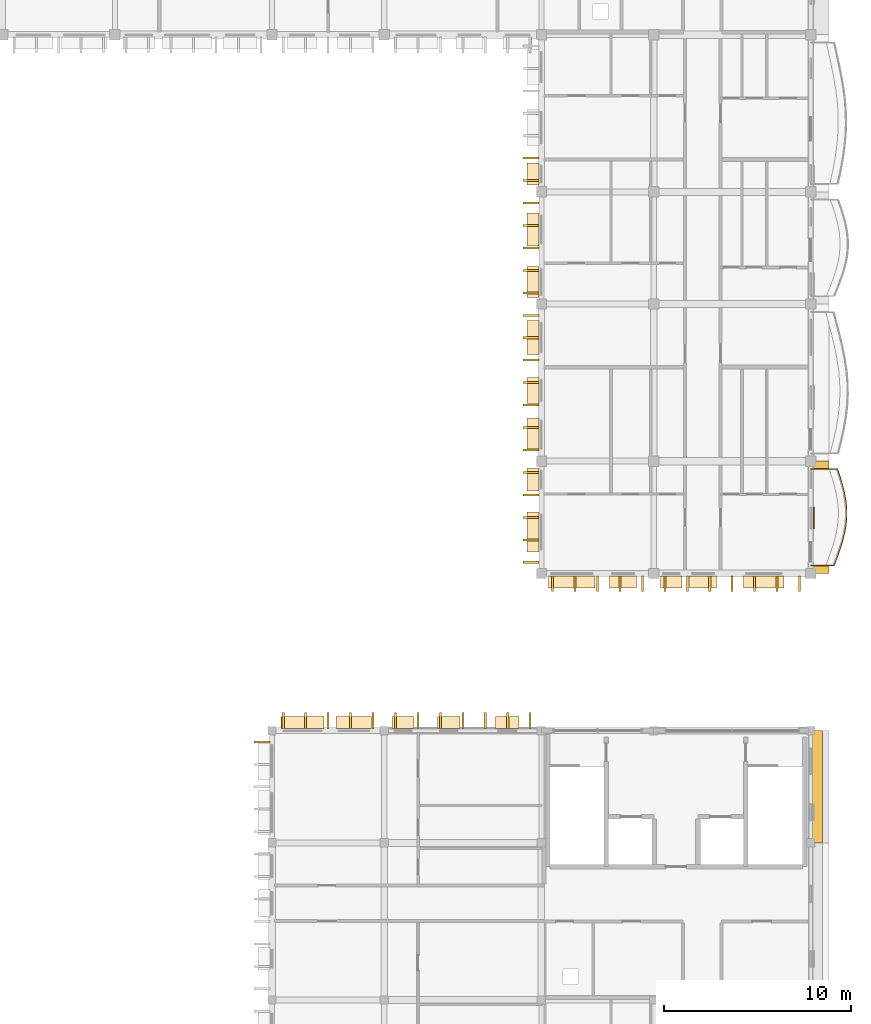
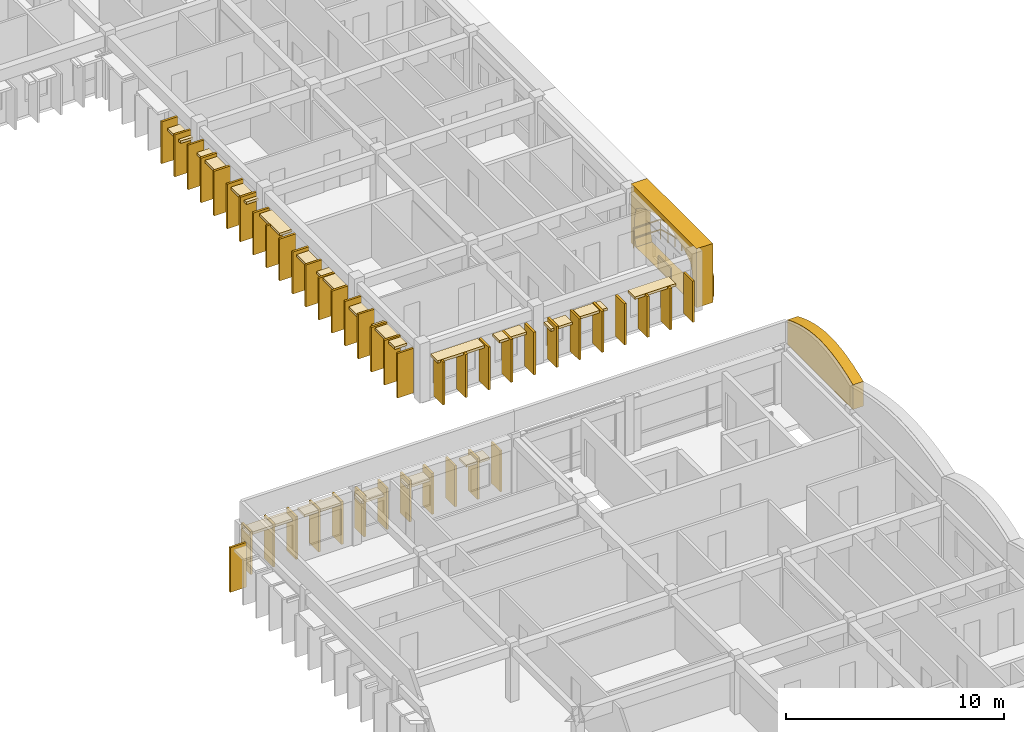
# One storey, part 55 of 59: 65 coverings, 1 railing.
"""IFC4 building model written with IfcOpenShell, lengths in metres."""

from ifc_helpers import new_model, si_unit, direction, frame, origin, origin_2d, place, context, subcontext, project, spatial, polyline, rectangle, outline, extrude, material, layer, layer_set, type_object, element, save


model = new_model("IFC4")

# Units and contexts
model_context = context("Model", 3, precision=1e-05, world=origin(), true_north=direction((0.0, 1.0)))
body_context = subcontext(model_context, "Body", "Model", "MODEL_VIEW")
ifc_project = project(units=[si_unit("LENGTHUNIT", "METRE"), si_unit("AREAUNIT", "SQUARE_METRE"), si_unit("VOLUMEUNIT", "CUBIC_METRE"), si_unit("PLANEANGLEUNIT", "RADIAN"), si_unit("MASSUNIT", "GRAM", prefix="KILO"), si_unit("THERMODYNAMICTEMPERATUREUNIT", "KELVIN")], contexts=[model_context])

# Site, building, storey
site_placement = place(None, origin())
site = spatial("IfcSite", under=ifc_project, at=site_placement, CompositionType="ELEMENT")
building_placement = place(site_placement, origin())
building = spatial("IfcBuilding", under=site, at=building_placement, Name="Thalorik Housing Commons", CompositionType="ELEMENT")
storey_placement = place(building_placement, frame((0.0, 0.0, 27.89990234375)))
storey = spatial("IfcBuildingStorey", under=building, at=storey_placement, Name="L08", CompositionType="ELEMENT", Elevation=27.89990234375)

# Coverings
ifc_material_1 = material(Name="Cobalt blue glazed ceramic facade tile panel", Category="masonry")
ifc_layer_1 = layer(ifc_material_1, 0.06005859375, Name="Cobalt blue glazed ceramic facade tile panel", Category="masonry")
ifc_layer_set_1 = layer_set([ifc_layer_1], Name="Cobalt blue glazed ceramic facade tile panel")
covering_type_1 = type_object("IfcCoveringType", Name="ARC-CLD-BLU-60", PredefinedType="CLADDING", material=ifc_layer_set_1)
covering_1_placement = place(storey_placement, frame((166.95751953125, 83.372802734375, 0.05029296875), z_axis=(0.0, 0.0, 1.0), x_axis=(0.0, 1.0, 0.0)))
element("IfcCovering", 1, at=covering_1_placement, inside=storey, type_object=covering_type_1, Name="L08 De Stijl Recessed Window Spandrel 2881", PredefinedType="CLADDING", context=body_context, shape_type="SweptSolid", body=[
    extrude(rectangle(XDim=1.14990234375, YDim=0.06005859375, at=origin_2d()), origin(), (0.0, 0.0, 1.0), 0.699951171875),
])
ifc_material_2 = material(Name="Precast concrete C40/50", Category="concrete")
ifc_layer_2 = layer(ifc_material_2, 0.85009765625, Name="Precast concrete C40/50", Category="concrete")
ifc_layer_set_2 = layer_set([ifc_layer_2], Name="Precast concrete C40/50")
covering_type_2 = type_object("IfcCoveringType", Name="ARC-CLD-CUSH-850", PredefinedType="CLADDING", material=ifc_layer_set_2)
covering_2_placement = place(storey_placement, frame((167.347412109375, 83.39990234375, 0.0), z_axis=(0.0, 0.0, 1.0), x_axis=(0.0, 1.0, 0.0)))
element("IfcCovering", 2, at=covering_2_placement, inside=storey, type_object=covering_type_2, Name="L08 White Precast Curved Cushion Bay Frame 2880", PredefinedType="CLADDING", context=body_context, shape_type="SweptSolid", body=[
    extrude(outline(polyline([(-3.0, 0.0), (3.0, 0.0), (3.0, 3.300048828125), (-3.0, 3.300048828125), (-3.0, 0.0)]), holes=[polyline([(2.542724609375, 0.02490234375), (2.639404296875, 0.387451171875), (2.697265625, 0.75), (2.716552734375, 1.112548828125), (2.697265625, 1.47509765625), (2.639404296875, 1.83740234375), (2.542724609375, 2.199951171875), (2.12841796875, 2.455810546875), (1.714111328125, 2.656494140625), (1.299560546875, 2.819091796875), (0.88525390625, 2.940185546875), (0.470703125, 3.014892578125), (0.056396484375, 3.0400390625), (-0.35791015625, 3.014892578125), (-0.7724609375, 2.940185546875), (-1.186767578125, 2.819091796875), (-1.601318359375, 2.656494140625), (-2.015625, 2.455810546875), (-2.429931640625, 2.199951171875), (-2.55029296875, 1.83740234375), (-2.62255859375, 1.47509765625), (-2.646484375, 1.112548828125), (-2.62255859375, 0.75), (-2.55029296875, 0.387451171875), (-2.429931640625, 0.02490234375), (2.542724609375, 0.02490234375)])]), frame((0.0, 0.425048828125, 0.0), z_axis=(0.0, -1.0, 0.0), x_axis=(1.0, 0.0, 0.0)), (0.0, 0.0, 1.0), 0.85009765625),
])
ifc_layer_3 = layer(ifc_material_2, 0.85009765625, Name="Precast concrete C40/50", Category="concrete")
ifc_layer_set_3 = layer_set([ifc_layer_3], Name="Precast concrete C40/50")
covering_type_3 = type_object("IfcCoveringType", Name="ARC-CLD-FIN-850", PredefinedType="CLADDING", material=ifc_layer_set_3)
for number, where, z_axis, x_axis, name in (
    (3, (151.8525390625, 102.60009765625, 0.0400390625), (0.0, 0.0, 1.0), (0.0, -1.0, 0.0), "L08 Courtyard Precast Vertical Brise-Soleil Fin 2834"),
    (4, (151.8525390625, 101.39990234375, 0.0400390625), (0.0, 0.0, 1.0), (0.0, -1.0, 0.0), "L08 Courtyard Precast Vertical Brise-Soleil Fin 2835"),
):
    element("IfcCovering", number, at=place(storey_placement, frame(where, z_axis=z_axis, x_axis=x_axis)), inside=storey, type_object=covering_type_3, Name=name, PredefinedType="CLADDING", context=body_context, shape_type="SweptSolid", body=[
        extrude(rectangle(XDim=0.110107421875, YDim=0.85009765625, at=origin_2d()), origin(), (0.0, 0.0, 1.0), 2.344970703125),
    ])
for number, where, z_axis, x_axis, name in (
    (5, (151.8525390625, 100.199951171875, 0.0400390625), (0.0, 0.0, 1.0), (0.0, -1.0, 0.0), "L08 Courtyard Precast Vertical Brise-Soleil Fin 2839"),
    (6, (151.8525390625, 99.0, 0.0400390625), (0.0, 0.0, 1.0), (0.0, -1.0, 0.0), "L08 Courtyard Precast Vertical Brise-Soleil Fin 2840"),
    (7, (151.8525390625, 97.800048828125, 0.0400390625), (0.0, 0.0, 1.0), (0.0, -1.0, 0.0), "L08 Courtyard Precast Vertical Brise-Soleil Fin 2841"),
    (8, (151.8525390625, 96.60009765625, 0.0400390625), (0.0, 0.0, 1.0), (0.0, -1.0, 0.0), "L08 Courtyard Precast Vertical Brise-Soleil Fin 2842"),
    (9, (151.8525390625, 95.39990234375, 0.0400390625), (0.0, 0.0, 1.0), (0.0, -1.0, 0.0), "L08 Courtyard Precast Vertical Brise-Soleil Fin 2843"),
):
    element("IfcCovering", number, at=place(storey_placement, frame(where, z_axis=z_axis, x_axis=x_axis)), inside=storey, type_object=covering_type_3, Name=name, PredefinedType="CLADDING", context=body_context, shape_type="SweptSolid", body=[
        extrude(rectangle(XDim=0.110107421875, YDim=0.85009765625, at=origin_2d()), origin(), (0.0, 0.0, 1.0), 2.4951171875),
    ])
for number, where, z_axis, x_axis, name in (
    (10, (151.8525390625, 94.199951171875, 0.0400390625), (0.0, 0.0, 1.0), (0.0, -1.0, 0.0), "L08 Courtyard Precast Vertical Brise-Soleil Fin 2846"),
    (11, (151.8525390625, 93.0, 0.0400390625), (0.0, 0.0, 1.0), (0.0, -1.0, 0.0), "L08 Courtyard Precast Vertical Brise-Soleil Fin 2847"),
    (12, (151.8525390625, 91.800048828125, 0.0400390625), (0.0, 0.0, 1.0), (0.0, -1.0, 0.0), "L08 Courtyard Precast Vertical Brise-Soleil Fin 2848"),
    (13, (151.8525390625, 90.60009765625, 0.0400390625), (0.0, 0.0, 1.0), (0.0, -1.0, 0.0), "L08 Courtyard Precast Vertical Brise-Soleil Fin 2849"),
    (14, (151.8525390625, 89.39990234375, 0.0400390625), (0.0, 0.0, 1.0), (0.0, -1.0, 0.0), "L08 Courtyard Precast Vertical Brise-Soleil Fin 2850"),
    (15, (151.8525390625, 88.199951171875, 0.0400390625), (0.0, 0.0, 1.0), (0.0, -1.0, 0.0), "L08 Courtyard Precast Vertical Brise-Soleil Fin 2851"),
    (16, (151.8525390625, 87.0, 0.0400390625), (0.0, 0.0, 1.0), (0.0, -1.0, 0.0), "L08 Courtyard Precast Vertical Brise-Soleil Fin 2852"),
):
    element("IfcCovering", number, at=place(storey_placement, frame(where, z_axis=z_axis, x_axis=x_axis)), inside=storey, type_object=covering_type_3, Name=name, PredefinedType="CLADDING", context=body_context, shape_type="SweptSolid", body=[
        extrude(rectangle(XDim=0.110107421875, YDim=0.85009765625, at=origin_2d()), origin(), (0.0, 0.0, 1.0), 2.344970703125),
    ])
for number, where, z_axis, x_axis, name in (
    (17, (151.8525390625, 85.800048828125, 0.0400390625), (0.0, 0.0, 1.0), (0.0, -1.0, 0.0), "L08 Courtyard Precast Vertical Brise-Soleil Fin 2856"),
    (18, (151.8525390625, 84.60009765625, 0.0400390625), (0.0, 0.0, 1.0), (0.0, -1.0, 0.0), "L08 Courtyard Precast Vertical Brise-Soleil Fin 2857"),
    (19, (151.8525390625, 83.39990234375, 0.0400390625), (0.0, 0.0, 1.0), (0.0, -1.0, 0.0), "L08 Courtyard Precast Vertical Brise-Soleil Fin 2858"),
    (20, (151.8525390625, 82.199951171875, 0.0400390625), (0.0, 0.0, 1.0), (0.0, -1.0, 0.0), "L08 Courtyard Precast Vertical Brise-Soleil Fin 2859"),
    (21, (151.8525390625, 81.0, 0.0400390625), (0.0, 0.0, 1.0), (0.0, -1.0, 0.0), "L08 Courtyard Precast Vertical Brise-Soleil Fin 2860"),
):
    element("IfcCovering", number, at=place(storey_placement, frame(where, z_axis=z_axis, x_axis=x_axis)), inside=storey, type_object=covering_type_3, Name=name, PredefinedType="CLADDING", context=body_context, shape_type="SweptSolid", body=[
        extrude(rectangle(XDim=0.110107421875, YDim=0.85009765625, at=origin_2d()), origin(), (0.0, 0.0, 1.0), 2.4951171875),
    ])
for number, where, z_axis, x_axis, name in (
    (22, (153.0, 79.8525390625, 0.0400390625), (0.0, 0.0, 1.0), (1.0, 0.0, 0.0), "L08 Courtyard Precast Vertical Brise-Soleil Fin 2863"),
    (23, (154.199951171875, 79.8525390625, 0.0400390625), (0.0, 0.0, 1.0), (1.0, 0.0, 0.0), "L08 Courtyard Precast Vertical Brise-Soleil Fin 2864"),
    (24, (155.39990234375, 79.8525390625, 0.0400390625), (0.0, 0.0, 1.0), (1.0, 0.0, 0.0), "L08 Courtyard Precast Vertical Brise-Soleil Fin 2865"),
    (25, (156.60009765625, 79.8525390625, 0.0400390625), (0.0, 0.0, 1.0), (1.0, 0.0, 0.0), "L08 Courtyard Precast Vertical Brise-Soleil Fin 2866"),
    (26, (157.800048828125, 79.8525390625, 0.0400390625), (0.0, 0.0, 1.0), (1.0, 0.0, 0.0), "L08 Courtyard Precast Vertical Brise-Soleil Fin 2867"),
):
    element("IfcCovering", number, at=place(storey_placement, frame(where, z_axis=z_axis, x_axis=x_axis)), inside=storey, type_object=covering_type_3, Name=name, PredefinedType="CLADDING", context=body_context, shape_type="SweptSolid", body=[
        extrude(rectangle(XDim=0.110107421875, YDim=0.85009765625, at=origin_2d()), origin(), (0.0, 0.0, 1.0), 2.39501953125),
    ])
for number, where, z_axis, x_axis, name in (
    (27, (159.0, 79.8525390625, 0.0400390625), (0.0, 0.0, 1.0), (1.0, 0.0, 0.0), "L08 Courtyard Precast Vertical Brise-Soleil Fin 2870"),
    (28, (160.199951171875, 79.8525390625, 0.0400390625), (0.0, 0.0, 1.0), (1.0, 0.0, 0.0), "L08 Courtyard Precast Vertical Brise-Soleil Fin 2871"),
    (29, (161.39990234375, 79.8525390625, 0.0400390625), (0.0, 0.0, 1.0), (1.0, 0.0, 0.0), "L08 Courtyard Precast Vertical Brise-Soleil Fin 2872"),
    (30, (162.60009765625, 79.8525390625, 0.0400390625), (0.0, 0.0, 1.0), (1.0, 0.0, 0.0), "L08 Courtyard Precast Vertical Brise-Soleil Fin 2873"),
    (31, (163.800048828125, 79.8525390625, 0.0400390625), (0.0, 0.0, 1.0), (1.0, 0.0, 0.0), "L08 Courtyard Precast Vertical Brise-Soleil Fin 2874"),
    (32, (165.0, 79.8525390625, 0.0400390625), (0.0, 0.0, 1.0), (1.0, 0.0, 0.0), "L08 Courtyard Precast Vertical Brise-Soleil Fin 2875"),
    (33, (166.199951171875, 79.8525390625, 0.0400390625), (0.0, 0.0, 1.0), (1.0, 0.0, 0.0), "L08 Courtyard Precast Vertical Brise-Soleil Fin 2876"),
    (34, (151.800048828125, 72.53759765625, 0.0400390625), (0.0, 0.0, 1.0), (-1.0, 0.0, 0.0), "L08 Courtyard Precast Vertical Brise-Soleil Fin 5044"),
    (35, (150.60009765625, 72.53759765625, 0.0400390625), (0.0, 0.0, 1.0), (-1.0, 0.0, 0.0), "L08 Courtyard Precast Vertical Brise-Soleil Fin 5045"),
    (36, (149.39990234375, 72.53759765625, 0.0400390625), (0.0, 0.0, 1.0), (-1.0, 0.0, 0.0), "L08 Courtyard Precast Vertical Brise-Soleil Fin 5046"),
    (37, (148.199951171875, 72.53759765625, 0.0400390625), (0.0, 0.0, 1.0), (-1.0, 0.0, 0.0), "L08 Courtyard Precast Vertical Brise-Soleil Fin 5047"),
    (38, (147.0, 72.53759765625, 0.0400390625), (0.0, 0.0, 1.0), (-1.0, 0.0, 0.0), "L08 Courtyard Precast Vertical Brise-Soleil Fin 5048"),
    (39, (145.800048828125, 72.53759765625, 0.0400390625), (0.0, 0.0, 1.0), (-1.0, 0.0, 0.0), "L08 Courtyard Precast Vertical Brise-Soleil Fin 5049"),
    (40, (144.60009765625, 72.53759765625, 0.0400390625), (0.0, 0.0, 1.0), (-1.0, 0.0, 0.0), "L08 Courtyard Precast Vertical Brise-Soleil Fin 5050"),
):
    element("IfcCovering", number, at=place(storey_placement, frame(where, z_axis=z_axis, x_axis=x_axis)), inside=storey, type_object=covering_type_3, Name=name, PredefinedType="CLADDING", context=body_context, shape_type="SweptSolid", body=[
        extrude(rectangle(XDim=0.110107421875, YDim=0.85009765625, at=origin_2d()), origin(), (0.0, 0.0, 1.0), 2.294921875),
    ])
for number, where, z_axis, x_axis, name in (
    (41, (143.39990234375, 72.53759765625, 0.0400390625), (0.0, 0.0, 1.0), (-1.0, 0.0, 0.0), "L08 Courtyard Precast Vertical Brise-Soleil Fin 5054"),
    (42, (142.199951171875, 72.53759765625, 0.0400390625), (0.0, 0.0, 1.0), (-1.0, 0.0, 0.0), "L08 Courtyard Precast Vertical Brise-Soleil Fin 5055"),
    (43, (141.0, 72.53759765625, 0.0400390625), (0.0, 0.0, 1.0), (-1.0, 0.0, 0.0), "L08 Courtyard Precast Vertical Brise-Soleil Fin 5056"),
    (44, (139.800048828125, 72.53759765625, 0.0400390625), (0.0, 0.0, 1.0), (-1.0, 0.0, 0.0), "L08 Courtyard Precast Vertical Brise-Soleil Fin 5057"),
    (45, (138.60009765625, 72.53759765625, 0.0400390625), (0.0, 0.0, 1.0), (-1.0, 0.0, 0.0), "L08 Courtyard Precast Vertical Brise-Soleil Fin 5058"),
):
    element("IfcCovering", number, at=place(storey_placement, frame(where, z_axis=z_axis, x_axis=x_axis)), inside=storey, type_object=covering_type_3, Name=name, PredefinedType="CLADDING", context=body_context, shape_type="SweptSolid", body=[
        extrude(rectangle(XDim=0.110107421875, YDim=0.85009765625, at=origin_2d()), origin(), (0.0, 0.0, 1.0), 2.39501953125),
    ])
covering_3_placement = place(storey_placement, frame((137.46240234375, 71.39990234375, 0.0400390625), z_axis=(0.0, 0.0, 1.0), x_axis=(0.0, -1.0, 0.0)))
element("IfcCovering", 46, at=covering_3_placement, inside=storey, type_object=covering_type_3, Name="L08 Courtyard Precast Vertical Brise-Soleil Fin 5061", PredefinedType="CLADDING", context=body_context, shape_type="SweptSolid", body=[
    extrude(rectangle(XDim=0.110107421875, YDim=0.85009765625, at=origin_2d()), origin(), (0.0, 0.0, 1.0), 2.4951171875),
])
ifc_layer_4 = layer(ifc_material_2, 0.64990234375, Name="Precast concrete C40/50", Category="concrete")
ifc_layer_set_4 = layer_set([ifc_layer_4], Name="Precast concrete C40/50")
covering_type_4 = type_object("IfcCoveringType", Name="ARC-CLD-HOOD-650", PredefinedType="CLADDING", material=ifc_layer_set_4)
covering_4_placement = place(storey_placement, frame((151.952392578125, 101.760009765625, 1.93994140625), z_axis=(0.0, 0.0, 1.0), x_axis=(0.0, -1.0, 0.0)))
element("IfcCovering", 47, at=covering_4_placement, inside=storey, type_object=covering_type_4, Name="L08 Courtyard Precast Window Sun-Hood 2838", PredefinedType="CLADDING", context=body_context, shape_type="SweptSolid", body=[
    extrude(rectangle(XDim=1.18994140625, YDim=0.64990234375, at=origin_2d()), origin(), (0.0, 0.0, 1.0), 0.139892578125),
])
covering_5_placement = place(storey_placement, frame((151.952392578125, 98.794921875, 2.2099609375), z_axis=(0.0, 0.0, 1.0), x_axis=(0.0, -1.0, 0.0)))
element("IfcCovering", 48, at=covering_5_placement, inside=storey, type_object=covering_type_4, Name="L08 Courtyard Precast Window Sun-Hood 2844", PredefinedType="CLADDING", context=body_context, shape_type="SweptSolid", body=[
    extrude(rectangle(XDim=1.760009765625, YDim=0.64990234375, at=origin_2d()), origin(), (0.0, 0.0, 1.0), 0.139892578125),
])
covering_6_placement = place(storey_placement, frame((151.952392578125, 95.985107421875, 2.169921875), z_axis=(0.0, 0.0, 1.0), x_axis=(0.0, -1.0, 0.0)))
element("IfcCovering", 49, at=covering_6_placement, inside=storey, type_object=covering_type_4, Name="L08 Courtyard Precast Window Sun-Hood 2845", PredefinedType="CLADDING", context=body_context, shape_type="SweptSolid", body=[
    extrude(rectangle(XDim=1.659912109375, YDim=0.64990234375, at=origin_2d()), origin(), (0.0, 0.0, 1.0), 0.139892578125),
])
covering_7_placement = place(storey_placement, frame((151.952392578125, 93.02001953125, 2.27001953125), z_axis=(0.0, 0.0, 1.0), x_axis=(0.0, -1.0, 0.0)))
element("IfcCovering", 50, at=covering_7_placement, inside=storey, type_object=covering_type_4, Name="L08 Courtyard Precast Window Sun-Hood 2853", PredefinedType="CLADDING", context=body_context, shape_type="SweptSolid", body=[
    extrude(rectangle(XDim=1.820068359375, YDim=0.64990234375, at=origin_2d()), origin(), (0.0, 0.0, 1.0), 0.139892578125),
])
covering_8_placement = place(storey_placement, frame((151.952392578125, 90.18505859375, 2.0400390625), z_axis=(0.0, 0.0, 1.0), x_axis=(0.0, -1.0, 0.0)))
element("IfcCovering", 51, at=covering_8_placement, inside=storey, type_object=covering_type_4, Name="L08 Courtyard Precast Window Sun-Hood 2854", PredefinedType="CLADDING", context=body_context, shape_type="SweptSolid", body=[
    extrude(rectangle(XDim=1.389892578125, YDim=0.64990234375, at=origin_2d()), origin(), (0.0, 0.0, 1.0), 0.139892578125),
])
covering_9_placement = place(storey_placement, frame((151.952392578125, 87.8349609375, 2.2099609375), z_axis=(0.0, 0.0, 1.0), x_axis=(0.0, -1.0, 0.0)))
element("IfcCovering", 52, at=covering_9_placement, inside=storey, type_object=covering_type_4, Name="L08 Courtyard Precast Window Sun-Hood 2855", PredefinedType="CLADDING", context=body_context, shape_type="SweptSolid", body=[
    extrude(rectangle(XDim=1.760009765625, YDim=0.64990234375, at=origin_2d()), origin(), (0.0, 0.0, 1.0), 0.139892578125),
])
covering_10_placement = place(storey_placement, frame((151.952392578125, 85.427490234375, 2.0400390625), z_axis=(0.0, 0.0, 1.0), x_axis=(0.0, -1.0, 0.0)))
element("IfcCovering", 53, at=covering_10_placement, inside=storey, type_object=covering_type_4, Name="L08 Courtyard Precast Window Sun-Hood 2861", PredefinedType="CLADDING", context=body_context, shape_type="SweptSolid", body=[
    extrude(rectangle(XDim=1.239990234375, YDim=0.64990234375, at=origin_2d()), origin(), (0.0, 0.0, 1.0), 0.139892578125),
])
covering_11_placement = place(storey_placement, frame((151.952392578125, 82.617431640625, 2.31005859375), z_axis=(0.0, 0.0, 1.0), x_axis=(0.0, -1.0, 0.0)))
element("IfcCovering", 54, at=covering_11_placement, inside=storey, type_object=covering_type_4, Name="L08 Courtyard Precast Window Sun-Hood 2862", PredefinedType="CLADDING", context=body_context, shape_type="SweptSolid", body=[
    extrude(rectangle(XDim=2.1201171875, YDim=0.64990234375, at=origin_2d()), origin(), (0.0, 0.0, 1.0), 0.139892578125),
])
covering_12_placement = place(storey_placement, frame((154.030029296875, 79.952392578125, 2.31005859375), z_axis=(0.0, 0.0, 1.0), x_axis=(1.0, 0.0, 0.0)))
element("IfcCovering", 55, at=covering_12_placement, inside=storey, type_object=covering_type_4, Name="L08 Courtyard Precast Window Sun-Hood 2868", PredefinedType="CLADDING", context=body_context, shape_type="SweptSolid", body=[
    extrude(rectangle(XDim=2.47998046875, YDim=0.64990234375, at=origin_2d()), origin(), (0.0, 0.0, 1.0), 0.139892578125),
])
covering_13_placement = place(storey_placement, frame((156.77001953125, 79.952392578125, 2.2900390625), z_axis=(0.0, 0.0, 1.0), x_axis=(1.0, 0.0, 0.0)))
element("IfcCovering", 56, at=covering_13_placement, inside=storey, type_object=covering_type_4, Name="L08 Courtyard Precast Window Sun-Hood 2869", PredefinedType="CLADDING", context=body_context, shape_type="SweptSolid", body=[
    extrude(rectangle(XDim=1.43994140625, YDim=0.64990234375, at=origin_2d()), origin(), (0.0, 0.0, 1.0), 0.139892578125),
])
covering_14_placement = place(storey_placement, frame((159.3349609375, 79.952392578125, 1.990234375), z_axis=(0.0, 0.0, 1.0), x_axis=(1.0, 0.0, 0.0)))
element("IfcCovering", 57, at=covering_14_placement, inside=storey, type_object=covering_type_4, Name="L08 Courtyard Precast Window Sun-Hood 2877", PredefinedType="CLADDING", context=body_context, shape_type="SweptSolid", body=[
    extrude(rectangle(XDim=1.139892578125, YDim=0.64990234375, at=origin_2d()), origin(), (0.0, 0.0, 1.0), 0.139892578125),
])
covering_15_placement = place(storey_placement, frame((161.030029296875, 79.952392578125, 2.14013671875), z_axis=(0.0, 0.0, 1.0), x_axis=(1.0, 0.0, 0.0)))
element("IfcCovering", 58, at=covering_15_placement, inside=storey, type_object=covering_type_4, Name="L08 Courtyard Precast Window Sun-Hood 2878", PredefinedType="CLADDING", context=body_context, shape_type="SweptSolid", body=[
    extrude(rectangle(XDim=1.43994140625, YDim=0.64990234375, at=origin_2d()), origin(), (0.0, 0.0, 1.0), 0.139892578125),
])
covering_16_placement = place(storey_placement, frame((164.294921875, 79.952392578125, 2.22509765625), z_axis=(0.0, 0.0, 1.0), x_axis=(1.0, 0.0, 0.0)))
element("IfcCovering", 59, at=covering_16_placement, inside=storey, type_object=covering_type_4, Name="L08 Courtyard Precast Window Sun-Hood 2879", PredefinedType="CLADDING", context=body_context, shape_type="SweptSolid", body=[
    extrude(rectangle(XDim=2.159912109375, YDim=0.64990234375, at=origin_2d()), origin(), (0.0, 0.0, 1.0), 0.139892578125),
])
covering_17_placement = place(storey_placement, frame((150.5751953125, 72.4375, 2.0400390625), z_axis=(0.0, 0.0, 1.0), x_axis=(-1.0, 0.0, 0.0)))
element("IfcCovering", 60, at=covering_17_placement, inside=storey, type_object=covering_type_4, Name="L08 Courtyard Precast Window Sun-Hood 5051", PredefinedType="CLADDING", context=body_context, shape_type="SweptSolid", body=[
    extrude(rectangle(XDim=1.239990234375, YDim=0.64990234375, at=origin_2d()), origin(), (0.0, 0.0, 1.0), 0.139892578125),
])
for number, where, z_axis, x_axis, name in (
    (61, (147.4453125, 72.4375, 1.93994140625), (0.0, 0.0, 1.0), (-1.0, 0.0, 0.0), "L08 Courtyard Precast Window Sun-Hood 5052"),
    (62, (145.000244140625, 72.4375, 1.93994140625), (0.0, 0.0, 1.0), (-1.0, 0.0, 0.0), "L08 Courtyard Precast Window Sun-Hood 5053"),
):
    element("IfcCovering", number, at=place(storey_placement, frame(where, z_axis=z_axis, x_axis=x_axis)), inside=storey, type_object=covering_type_4, Name=name, PredefinedType="CLADDING", context=body_context, shape_type="SweptSolid", body=[
        extrude(rectangle(XDim=1.18994140625, YDim=0.64990234375, at=origin_2d()), origin(), (0.0, 0.0, 1.0), 0.139892578125),
    ])
covering_18_placement = place(storey_placement, frame((142.3701171875, 72.4375, 2.25), z_axis=(0.0, 0.0, 1.0), x_axis=(-1.0, 0.0, 0.0)))
element("IfcCovering", 63, at=covering_18_placement, inside=storey, type_object=covering_type_4, Name="L08 Courtyard Precast Window Sun-Hood 5059", PredefinedType="CLADDING", context=body_context, shape_type="SweptSolid", body=[
    extrude(rectangle(XDim=1.919921875, YDim=0.64990234375, at=origin_2d()), origin(), (0.0, 0.0, 1.0), 0.139892578125),
])
covering_19_placement = place(storey_placement, frame((139.6298828125, 72.4375, 2.25), z_axis=(0.0, 0.0, 1.0), x_axis=(-1.0, 0.0, 0.0)))
element("IfcCovering", 64, at=covering_19_placement, inside=storey, type_object=covering_type_4, Name="L08 Courtyard Precast Window Sun-Hood 5060", PredefinedType="CLADDING", context=body_context, shape_type="SweptSolid", body=[
    extrude(rectangle(XDim=2.280029296875, YDim=0.64990234375, at=origin_2d()), origin(), (0.0, 0.0, 1.0), 0.139892578125),
])
ifc_layer_5 = layer(ifc_material_2, 0.550048828125, Name="Precast concrete C40/50", Category="concrete")
ifc_layer_set_5 = layer_set([ifc_layer_5], Name="Precast concrete C40/50")
covering_type_5 = type_object("IfcCoveringType", Name="ARC-CLD-PAR-550", PredefinedType="CLADDING", material=ifc_layer_set_5)
covering_20_placement = place(storey_placement, frame((167.14990234375, 69.0, 3.06005859375), z_axis=(0.0, 0.0, 1.0), x_axis=(0.0, 1.0, 0.0)))
element("IfcCovering", 65, at=covering_20_placement, inside=storey, type_object=covering_type_5, Name="L08 Block D Scalloped White Precast Parapet Crest 5127", PredefinedType="CLADDING", context=body_context, shape_type="SweptSolid", body=[
    extrude(outline(polyline([(-3.0, 0.0), (3.0, 0.0), (3.0, 1.3798828125), (2.5, 1.58154296875), (2.0, 1.744384765625), (1.5, 1.877685546875), (1.0, 1.977294921875), (0.5, 2.0390625), (0.0, 2.06005859375), (-0.5, 2.0390625), (-1.0, 1.977294921875), (-1.5, 1.877685546875), (-2.0, 1.744384765625), (-2.5, 1.58154296875), (-3.0, 1.3798828125), (-3.0, 0.0)])), frame((0.0, 0.27490234375, 0.0), z_axis=(0.0, -1.0, 0.0), x_axis=(1.0, 0.0, 0.0)), (0.0, 0.0, 1.0), 0.550048828125),
])

# Railing
ifc_material_3 = material(Name="Steel S355", Category="steel")
railing_type = type_object("IfcRailingType", Name="ARC-RL-BAL-112", PredefinedType="BALUSTRADE", material=ifc_material_3)
railing_placement = place(storey_placement, frame((166.800048828125, 80.820068359375, 0.0)))
element("IfcRailing", 66, at=railing_placement, inside=storey, type_object=railing_type, Name="L08 Cushion Balcony Guardrail 206", PredefinedType="BALUSTRADE", context=body_context, shape_type="SweptSolid", body=[
    extrude(rectangle(XDim=0.050048828125, YDim=0.050048828125, at=origin_2d()), frame((0.0, 0.0, 1.09521484375), z_axis=(1.0, 0.0, 0.0), x_axis=(0.0, 1.0, 0.0)), (0.0, 0.0, 1.0), 1.250244140625),
    extrude(rectangle(XDim=0.050048828125, YDim=0.050048828125, at=origin_2d()), frame((0.0, 0.0, 0.53515625), z_axis=(1.0, 0.0, 0.0), x_axis=(0.0, 1.0, 0.0)), (0.0, 0.0, 1.0), 1.250244140625),
    extrude(rectangle(XDim=0.050048828125, YDim=0.050048828125, at=origin_2d()), frame((1.250244140625, 0.0, 1.09521484375), z_axis=(0.346273105467, 0.938133751887, 0.0), x_axis=(-0.938133751887, 0.346273105467, 0.0)), (0.0, 0.0, 1.0), 0.458251953125),
    extrude(rectangle(XDim=0.050048828125, YDim=0.050048828125, at=origin_2d()), frame((1.250244140625, 0.0, 0.53515625), z_axis=(0.346273105467, 0.938133751887, 0.0), x_axis=(-0.938133751887, 0.346273105467, 0.0)), (0.0, 0.0, 1.0), 0.458251953125),
    extrude(rectangle(XDim=0.050048828125, YDim=0.050048828125, at=origin_2d()), frame((1.408935546875, 0.429931640625, 1.09521484375), z_axis=(0.333520092889, 0.942742991297, 0.0), x_axis=(-0.942742991297, 0.333520092889, 0.0)), (0.0, 0.0, 1.0), 0.4560546875),
    extrude(rectangle(XDim=0.050048828125, YDim=0.050048828125, at=origin_2d()), frame((1.408935546875, 0.429931640625, 0.53515625), z_axis=(0.333520092889, 0.942742991297, 0.0), x_axis=(-0.942742991297, 0.333520092889, 0.0)), (0.0, 0.0, 1.0), 0.4560546875),
    extrude(rectangle(XDim=0.050048828125, YDim=0.050048828125, at=origin_2d()), frame((1.56103515625, 0.85986328125, 1.09521484375), z_axis=(0.299939220082, 0.953958313689, 0.0), x_axis=(-0.953958313689, 0.299939220082, 0.0)), (0.0, 0.0, 1.0), 0.450927734375),
    extrude(rectangle(XDim=0.050048828125, YDim=0.050048828125, at=origin_2d()), frame((1.56103515625, 0.85986328125, 0.53515625), z_axis=(0.299939220082, 0.953958313689, 0.0), x_axis=(-0.953958313689, 0.299939220082, 0.0)), (0.0, 0.0, 1.0), 0.450927734375),
    extrude(rectangle(XDim=0.050048828125, YDim=0.050048828125, at=origin_2d()), frame((1.6962890625, 1.2900390625, 1.09521484375), z_axis=(0.247064490889, 0.968999038876, 0.0), x_axis=(-0.968999038876, 0.247064490889, 0.0)), (0.0, 0.0, 1.0), 0.443603515625),
    extrude(rectangle(XDim=0.050048828125, YDim=0.050048828125, at=origin_2d()), frame((1.6962890625, 1.2900390625, 0.53515625), z_axis=(0.247064490889, 0.968999038876, 0.0), x_axis=(-0.968999038876, 0.247064490889, 0.0)), (0.0, 0.0, 1.0), 0.443603515625),
    extrude(rectangle(XDim=0.050048828125, YDim=0.050048828125, at=origin_2d()), frame((1.805908203125, 1.719970703125, 1.09521484375), z_axis=(0.175539098525, 0.984472460198, 0.0), x_axis=(-0.984472460198, 0.175539098525, 0.0)), (0.0, 0.0, 1.0), 0.436767578125),
    extrude(rectangle(XDim=0.050048828125, YDim=0.050048828125, at=origin_2d()), frame((1.805908203125, 1.719970703125, 0.53515625), z_axis=(0.175539098525, 0.984472460198, 0.0), x_axis=(-0.984472460198, 0.175539098525, 0.0)), (0.0, 0.0, 1.0), 0.436767578125),
    extrude(rectangle(XDim=0.050048828125, YDim=0.050048828125, at=origin_2d()), frame((1.882568359375, 2.14990234375, 1.09521484375), z_axis=(0.089923813119, 0.995948647187, 0.0), x_axis=(-0.995948647187, 0.089923813119, 0.0)), (0.0, 0.0, 1.0), 0.431640625),
    extrude(rectangle(XDim=0.050048828125, YDim=0.050048828125, at=origin_2d()), frame((1.882568359375, 2.14990234375, 0.53515625), z_axis=(0.089923813119, 0.995948647187, 0.0), x_axis=(-0.995948647187, 0.089923813119, 0.0)), (0.0, 0.0, 1.0), 0.431640625),
    extrude(rectangle(XDim=0.050048828125, YDim=0.050048828125, at=origin_2d()), frame((1.92138671875, 2.579833984375, 1.09521484375), z_axis=(-0.001135073049, 0.999999355804, 0.0), x_axis=(-0.999999355804, -0.001135073049, 0.0)), (0.0, 0.0, 1.0), 0.43017578125),
    extrude(rectangle(XDim=0.050048828125, YDim=0.050048828125, at=origin_2d()), frame((1.92138671875, 2.579833984375, 0.53515625), z_axis=(-0.001135073049, 0.999999355804, 0.0), x_axis=(-0.999999355804, -0.001135073049, 0.0)), (0.0, 0.0, 1.0), 0.43017578125),
    extrude(rectangle(XDim=0.050048828125, YDim=0.050048828125, at=origin_2d()), frame((1.9208984375, 3.010009765625, 1.09521484375), z_axis=(-0.091606381543, 0.995795295661, 0.0), x_axis=(-0.995795295661, -0.091606381543, 0.0)), (0.0, 0.0, 1.0), 0.431640625),
    extrude(rectangle(XDim=0.050048828125, YDim=0.050048828125, at=origin_2d()), frame((1.9208984375, 3.010009765625, 0.53515625), z_axis=(-0.091606381543, 0.995795295661, 0.0), x_axis=(-0.995795295661, -0.091606381543, 0.0)), (0.0, 0.0, 1.0), 0.431640625),
    extrude(rectangle(XDim=0.050048828125, YDim=0.050048828125, at=origin_2d()), frame((1.88134765625, 3.43994140625, 1.09521484375), z_axis=(-0.171742507217, 0.985141873648, 0.0), x_axis=(-0.985141873648, -0.171742507217, 0.0)), (0.0, 0.0, 1.0), 0.4365234375),
    extrude(rectangle(XDim=0.050048828125, YDim=0.050048828125, at=origin_2d()), frame((1.88134765625, 3.43994140625, 0.53515625), z_axis=(-0.171742507217, 0.985141873648, 0.0), x_axis=(-0.985141873648, -0.171742507217, 0.0)), (0.0, 0.0, 1.0), 0.4365234375),
    extrude(rectangle(XDim=0.050048828125, YDim=0.050048828125, at=origin_2d()), frame((1.806396484375, 3.869873046875, 1.09521484375), z_axis=(-0.236562637415, 0.971616240385, 0.0), x_axis=(-0.971616240385, -0.236562637415, 0.0)), (0.0, 0.0, 1.0), 0.442626953125),
    extrude(rectangle(XDim=0.050048828125, YDim=0.050048828125, at=origin_2d()), frame((1.806396484375, 3.869873046875, 0.53515625), z_axis=(-0.236562637415, 0.971616240385, 0.0), x_axis=(-0.971616240385, -0.236562637415, 0.0)), (0.0, 0.0, 1.0), 0.442626953125),
    extrude(rectangle(XDim=0.050048828125, YDim=0.050048828125, at=origin_2d()), frame((1.70166015625, 4.300048828125, 1.09521484375), z_axis=(-0.282195818294, 0.959356826284, 0.0), x_axis=(-0.959356826284, -0.282195818294, 0.0)), (0.0, 0.0, 1.0), 0.4482421875),
    extrude(rectangle(XDim=0.050048828125, YDim=0.050048828125, at=origin_2d()), frame((1.70166015625, 4.300048828125, 0.53515625), z_axis=(-0.282195818294, 0.959356826284, 0.0), x_axis=(-0.959356826284, -0.282195818294, 0.0)), (0.0, 0.0, 1.0), 0.4482421875),
    extrude(rectangle(XDim=0.050048828125, YDim=0.050048828125, at=origin_2d()), frame((1.5751953125, 4.72998046875, 1.09521484375), z_axis=(-0.307460592586, 0.951560814665, 0.0), x_axis=(-0.951560814665, -0.307460592586, 0.0)), (0.0, 0.0, 1.0), 0.451904296875),
    extrude(rectangle(XDim=0.050048828125, YDim=0.050048828125, at=origin_2d()), frame((1.5751953125, 4.72998046875, 0.53515625), z_axis=(-0.307460592586, 0.951560814665, 0.0), x_axis=(-0.951560814665, -0.307460592586, 0.0)), (0.0, 0.0, 1.0), 0.451904296875),
    extrude(rectangle(XDim=0.050048828125, YDim=0.050048828125, at=origin_2d()), frame((1.436279296875, 5.159912109375, 1.09521484375), z_axis=(-1.0, 0.0, 0.0), x_axis=(0.0, -1.0, 0.0)), (0.0, 0.0, 1.0), 1.436279296875),
    extrude(rectangle(XDim=0.050048828125, YDim=0.050048828125, at=origin_2d()), frame((1.436279296875, 5.159912109375, 0.53515625), z_axis=(-1.0, 0.0, 0.0), x_axis=(0.0, -1.0, 0.0)), (0.0, 0.0, 1.0), 1.436279296875),
    extrude(rectangle(XDim=0.0419921875, YDim=0.0419921875, at=origin_2d()), origin(), (0.0, 0.0, 1.0), 1.070068359375),
    extrude(rectangle(XDim=0.0419921875, YDim=0.0419921875, at=origin_2d()), frame((1.250244140625, 0.0, 0.0)), (0.0, 0.0, 1.0), 1.070068359375),
    extrude(rectangle(XDim=0.0419921875, YDim=0.0419921875, at=origin_2d()), frame((1.408935546875, 0.429931640625, 0.0)), (0.0, 0.0, 1.0), 1.070068359375),
    extrude(rectangle(XDim=0.0419921875, YDim=0.0419921875, at=origin_2d()), frame((1.56103515625, 0.85986328125, 0.0)), (0.0, 0.0, 1.0), 1.070068359375),
    extrude(rectangle(XDim=0.0419921875, YDim=0.0419921875, at=origin_2d()), frame((1.6962890625, 1.2900390625, 0.0)), (0.0, 0.0, 1.0), 1.070068359375),
    extrude(rectangle(XDim=0.0419921875, YDim=0.0419921875, at=origin_2d()), frame((1.805908203125, 1.719970703125, 0.0)), (0.0, 0.0, 1.0), 1.070068359375),
    extrude(rectangle(XDim=0.0419921875, YDim=0.0419921875, at=origin_2d()), frame((1.882568359375, 2.14990234375, 0.0)), (0.0, 0.0, 1.0), 1.070068359375),
    extrude(rectangle(XDim=0.0419921875, YDim=0.0419921875, at=origin_2d()), frame((1.92138671875, 2.579833984375, 0.0)), (0.0, 0.0, 1.0), 1.070068359375),
    extrude(rectangle(XDim=0.0419921875, YDim=0.0419921875, at=origin_2d()), frame((1.9208984375, 3.010009765625, 0.0)), (0.0, 0.0, 1.0), 1.070068359375),
    extrude(rectangle(XDim=0.0419921875, YDim=0.0419921875, at=origin_2d()), frame((1.88134765625, 3.43994140625, 0.0)), (0.0, 0.0, 1.0), 1.070068359375),
    extrude(rectangle(XDim=0.0419921875, YDim=0.0419921875, at=origin_2d()), frame((1.806396484375, 3.869873046875, 0.0)), (0.0, 0.0, 1.0), 1.070068359375),
    extrude(rectangle(XDim=0.0419921875, YDim=0.0419921875, at=origin_2d()), frame((1.70166015625, 4.300048828125, 0.0)), (0.0, 0.0, 1.0), 1.070068359375),
    extrude(rectangle(XDim=0.0419921875, YDim=0.0419921875, at=origin_2d()), frame((1.5751953125, 4.72998046875, 0.0)), (0.0, 0.0, 1.0), 1.070068359375),
    extrude(rectangle(XDim=0.0419921875, YDim=0.0419921875, at=origin_2d()), frame((1.436279296875, 5.159912109375, 0.0)), (0.0, 0.0, 1.0), 1.070068359375),
    extrude(rectangle(XDim=0.0419921875, YDim=0.0419921875, at=origin_2d()), frame((0.0, 5.159912109375, 0.0)), (0.0, 0.0, 1.0), 1.070068359375),
])

save(model, "model.ifc")
